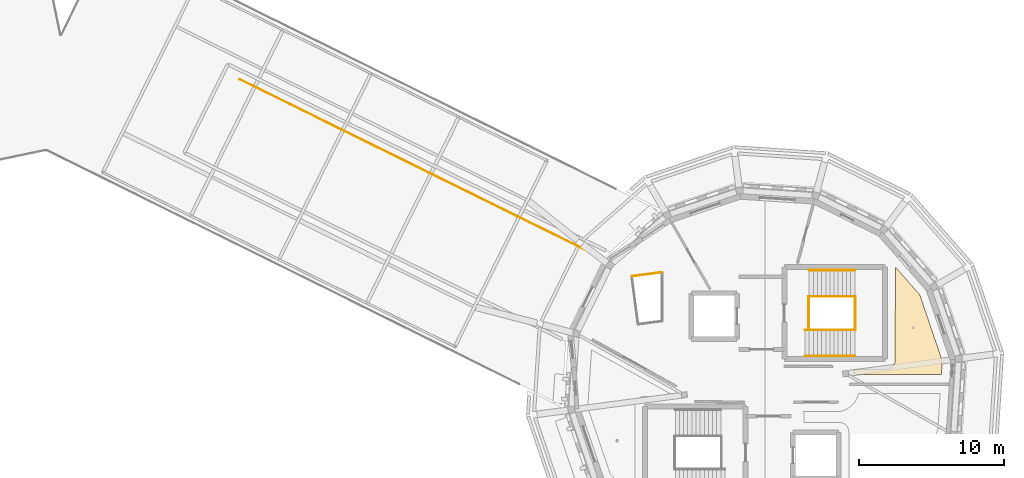
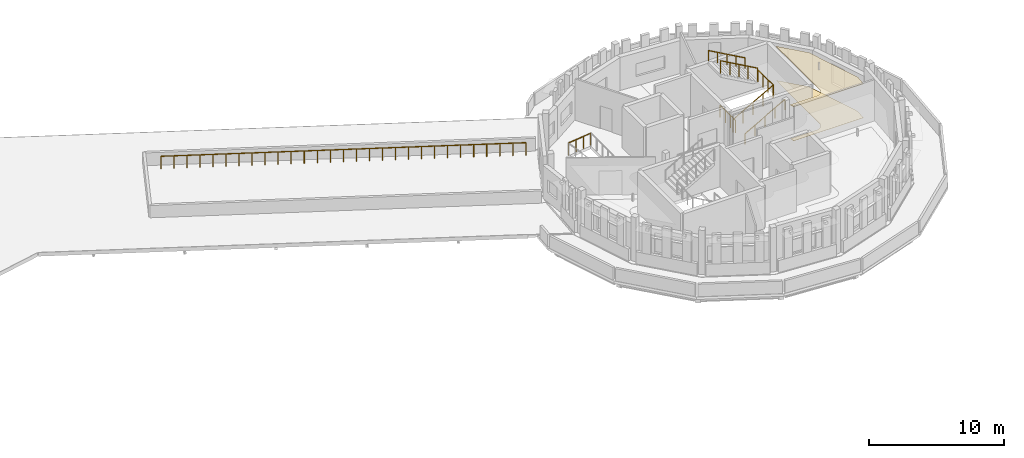
# One storey, part 51 of 51: 8 railings, 2 coverings.
"""IFC4 building model written with IfcOpenShell, lengths in metres."""

from ifc_helpers import new_model, si_unit, direction, frame, origin, origin_2d, place, context, subcontext, project, spatial, polyline, circle, outline, extrude, material, layer, layer_set, type_object, element, save


model = new_model("IFC4")

# Units and contexts
model_context = context("Model", 3, precision=1e-05, world=origin(), true_north=direction((0.0, 1.0)))
body_context = subcontext(model_context, "Body", "Model", "MODEL_VIEW")
ifc_project = project(units=[si_unit("LENGTHUNIT", "METRE"), si_unit("AREAUNIT", "SQUARE_METRE"), si_unit("VOLUMEUNIT", "CUBIC_METRE"), si_unit("PLANEANGLEUNIT", "RADIAN"), si_unit("MASSUNIT", "GRAM", prefix="KILO")], contexts=[model_context])

# Site, building, storey
site_placement = place(None, origin())
site = spatial("IfcSite", under=ifc_project, at=site_placement, CompositionType="ELEMENT")
building_placement = place(site_placement, origin())
building = spatial("IfcBuilding", under=site, at=building_placement, Name="Wrenclough Park School", CompositionType="ELEMENT")
storey_placement = place(building_placement, frame((0.0, 0.0, 16.800048828125)))
storey = spatial("IfcBuildingStorey", under=building, at=storey_placement, Name="L04", CompositionType="ELEMENT", Elevation=16.800048828125)

# Railing
ifc_material_1 = material(Name="Galvanised powder-coated steel and laminated glass balustrade", Category="steel")
railing_type_1 = type_object("IfcRailingType", Name="ENV-BAL-PD", PredefinedType="BALUSTRADE", material=ifc_material_1)
railing_1_placement = place(storey_placement, frame((162.607666015625, 102.513671875, 0.0)))
element("IfcRailing", 1, at=railing_1_placement, inside=storey, type_object=railing_type_1, Name="Play deck PD-4 planted-zone balustrade", PredefinedType="BALUSTRADE", context=body_context, shape_type="SweptSolid", body=[
    extrude(circle(Radius=0.02392578125, at=origin_2d()), frame((0.0, 0.0, 1.1259765625), z_axis=(-0.896742918163, 0.442551848629, 0.0), x_axis=(-0.442551848629, -0.896742918163, 0.0)), (0.0, 0.0, 1.0), 27.07958984375),
    extrude(circle(Radius=0.02099609375, at=origin_2d()), origin(), (0.0, 0.0, 1.0), 1.101806640625),
    extrude(circle(Radius=0.02099609375, at=origin_2d()), frame((-0.8671875, 0.427978515625, 0.0)), (0.0, 0.0, 1.0), 1.101806640625),
    extrude(circle(Radius=0.02099609375, at=origin_2d()), frame((-1.734619140625, 0.85595703125, 0.0)), (0.0, 0.0, 1.0), 1.101806640625),
    extrude(circle(Radius=0.02099609375, at=origin_2d()), frame((-2.601806640625, 1.283935546875, 0.0)), (0.0, 0.0, 1.0), 1.101806640625),
    extrude(circle(Radius=0.02099609375, at=origin_2d()), frame((-3.468994140625, 1.7119140625, 0.0)), (0.0, 0.0, 1.0), 1.101806640625),
    extrude(circle(Radius=0.02099609375, at=origin_2d()), frame((-4.33642578125, 2.14013671875, 0.0)), (0.0, 0.0, 1.0), 1.101806640625),
    extrude(circle(Radius=0.02099609375, at=origin_2d()), frame((-5.20361328125, 2.568115234375, 0.0)), (0.0, 0.0, 1.0), 1.101806640625),
    extrude(circle(Radius=0.02099609375, at=origin_2d()), frame((-6.07080078125, 2.99609375, 0.0)), (0.0, 0.0, 1.0), 1.101806640625),
    extrude(circle(Radius=0.02099609375, at=origin_2d()), frame((-6.938232421875, 3.424072265625, 0.0)), (0.0, 0.0, 1.0), 1.101806640625),
    extrude(circle(Radius=0.02099609375, at=origin_2d()), frame((-7.805419921875, 3.85205078125, 0.0)), (0.0, 0.0, 1.0), 1.101806640625),
    extrude(circle(Radius=0.02099609375, at=origin_2d()), frame((-8.672607421875, 4.280029296875, 0.0)), (0.0, 0.0, 1.0), 1.101806640625),
    extrude(circle(Radius=0.02099609375, at=origin_2d()), frame((-9.5400390625, 4.7080078125, 0.0)), (0.0, 0.0, 1.0), 1.101806640625),
    extrude(circle(Radius=0.02099609375, at=origin_2d()), frame((-10.4072265625, 5.135986328125, 0.0)), (0.0, 0.0, 1.0), 1.101806640625),
    extrude(circle(Radius=0.02099609375, at=origin_2d()), frame((-11.2744140625, 5.56396484375, 0.0)), (0.0, 0.0, 1.0), 1.101806640625),
    extrude(circle(Radius=0.02099609375, at=origin_2d()), frame((-12.1416015625, 5.9921875, 0.0)), (0.0, 0.0, 1.0), 1.101806640625),
    extrude(circle(Radius=0.02099609375, at=origin_2d()), frame((-13.009033203125, 6.420166015625, 0.0)), (0.0, 0.0, 1.0), 1.101806640625),
    extrude(circle(Radius=0.02099609375, at=origin_2d()), frame((-13.876220703125, 6.84814453125, 0.0)), (0.0, 0.0, 1.0), 1.101806640625),
    extrude(circle(Radius=0.02099609375, at=origin_2d()), frame((-14.743408203125, 7.276123046875, 0.0)), (0.0, 0.0, 1.0), 1.101806640625),
    extrude(circle(Radius=0.02099609375, at=origin_2d()), frame((-15.61083984375, 7.7041015625, 0.0)), (0.0, 0.0, 1.0), 1.101806640625),
    extrude(circle(Radius=0.02099609375, at=origin_2d()), frame((-16.47802734375, 8.132080078125, 0.0)), (0.0, 0.0, 1.0), 1.101806640625),
    extrude(circle(Radius=0.02099609375, at=origin_2d()), frame((-17.34521484375, 8.56005859375, 0.0)), (0.0, 0.0, 1.0), 1.101806640625),
    extrude(circle(Radius=0.02099609375, at=origin_2d()), frame((-18.212646484375, 8.988037109375, 0.0)), (0.0, 0.0, 1.0), 1.101806640625),
    extrude(circle(Radius=0.02099609375, at=origin_2d()), frame((-19.079833984375, 9.416015625, 0.0)), (0.0, 0.0, 1.0), 1.101806640625),
    extrude(circle(Radius=0.02099609375, at=origin_2d()), frame((-19.947021484375, 9.843994140625, 0.0)), (0.0, 0.0, 1.0), 1.101806640625),
    extrude(circle(Radius=0.02099609375, at=origin_2d()), frame((-20.814453125, 10.272216796875, 0.0)), (0.0, 0.0, 1.0), 1.101806640625),
    extrude(circle(Radius=0.02099609375, at=origin_2d()), frame((-21.681640625, 10.7001953125, 0.0)), (0.0, 0.0, 1.0), 1.101806640625),
    extrude(circle(Radius=0.02099609375, at=origin_2d()), frame((-22.548828125, 11.128173828125, 0.0)), (0.0, 0.0, 1.0), 1.101806640625),
    extrude(circle(Radius=0.02099609375, at=origin_2d()), frame((-23.416259765625, 11.55615234375, 0.0)), (0.0, 0.0, 1.0), 1.101806640625),
    extrude(circle(Radius=0.02099609375, at=origin_2d()), frame((-24.283447265625, 11.984130859375, 0.0)), (0.0, 0.0, 1.0), 1.101806640625),
])

# Coverings
ifc_material_2 = material(Name="Class A mineral-fibre acoustic ceiling raft", Category="gypsum")
ifc_layer_1 = layer(ifc_material_2, 0.044921875)
ifc_layer_set_1 = layer_set([ifc_layer_1], Name="Class A mineral-fibre acoustic ceiling raft")
covering_type_1 = type_object("IfcCoveringType", Name="INT-COV-CEIL", PredefinedType="CEILING", material=ifc_layer_set_1)
covering_1_placement = place(storey_placement, frame((0.0, 0.0, 3.054931640625)))
element("IfcCovering", 2, at=covering_1_placement, inside=storey, type_object=covering_type_1, Name="Careers Guidance Staff Office acoustic ceiling raft", PredefinedType="CEILING", context=body_context, shape_type="SweptSolid", body=[
    extrude(outline(polyline([(182.820068359375, 94.530029296875), (180.5947265625, 94.530029296875), (180.645263671875, 94.410888671875), (180.6689453125, 94.291748046875), (180.671875, 94.2294921875), (180.70947265625, 94.180908203125), (186.646484375, 94.1708984375), (186.7080078125, 95.107177734375), (185.163818359375, 99.656494140625), (183.469970703125, 101.587890625), (183.466796875, 95.1162109375), (183.44189453125, 94.9912109375), (183.393310546875, 94.87353515625), (183.322509765625, 94.767578125), (183.232421875, 94.677490234375), (183.12646484375, 94.606689453125), (183.0087890625, 94.55810546875), (182.94677734375, 94.54248046875), (182.820068359375, 94.530029296875)])), origin(), (0.0, 0.0, 1.0), 0.044921875),
])
ifc_material_3 = material(Name="Acoustic natural linoleum school flooring", Category="wood")
ifc_layer_2 = layer(ifc_material_3, 0.014892578125)
ifc_layer_set_2 = layer_set([ifc_layer_2], Name="Acoustic natural linoleum school flooring")
covering_type_2 = type_object("IfcCoveringType", Name="INT-COV-FLOOR1", PredefinedType="FLOORING", material=ifc_layer_set_2)
covering_2_placement = place(storey_placement, origin())
element("IfcCovering", 3, at=covering_2_placement, inside=storey, type_object=covering_type_2, Name="Careers Guidance Staff Office floor finish", PredefinedType="FLOORING", context=body_context, shape_type="SweptSolid", body=[
    extrude(outline(polyline([(182.820068359375, 94.530029296875), (180.5947265625, 94.530029296875), (180.645263671875, 94.410888671875), (180.6689453125, 94.291748046875), (180.671875, 94.2294921875), (180.70947265625, 94.180908203125), (186.646484375, 94.1708984375), (186.7080078125, 95.107177734375), (185.163818359375, 99.656494140625), (183.469970703125, 101.587890625), (183.466796875, 95.1162109375), (183.44189453125, 94.9912109375), (183.393310546875, 94.87353515625), (183.322509765625, 94.767578125), (183.232421875, 94.677490234375), (183.12646484375, 94.606689453125), (183.0087890625, 94.55810546875), (182.94677734375, 94.54248046875), (182.820068359375, 94.530029296875)])), origin(), (0.0, 0.0, 1.0), 0.014892578125),
])

# Railings
ifc_material_4 = material(Name="Powder-coated steel vertical-baluster stair and atrium guard", Category="steel")
railing_type_2 = type_object("IfcRailingType", Name="INT-RL-GD1120", PredefinedType="GUARDRAIL", material=ifc_material_4)
railing_2_placement = place(storey_placement, frame((177.5048828125, 97.25, 0.0)))
element("IfcRailing", 4, at=railing_2_placement, inside=storey, type_object=railing_type_2, Name="ST-06 L04 well guard 1", PredefinedType="GUARDRAIL", context=body_context, shape_type="SweptSolid", body=[
    extrude(circle(Radius=0.02392578125, at=origin_2d()), frame((0.0, 0.0, 1.09619140625), z_axis=(0.0, 1.0, 0.0), x_axis=(-1.0, 0.0, 0.0)), (0.0, 0.0, 1.0), 2.300048828125),
    extrude(circle(Radius=0.02099609375, at=origin_2d()), origin(), (0.0, 0.0, 1.0), 1.072021484375),
    extrude(circle(Radius=0.02099609375, at=origin_2d()), frame((0.0, 0.7666015625, 0.0)), (0.0, 0.0, 1.0), 1.072021484375),
    extrude(circle(Radius=0.02099609375, at=origin_2d()), frame((0.0, 1.533447265625, 0.0)), (0.0, 0.0, 1.0), 1.072021484375),
    extrude(circle(Radius=0.02099609375, at=origin_2d()), frame((0.0, 2.300048828125, 0.0)), (0.0, 0.0, 1.0), 1.072021484375),
])
railing_3_placement = place(storey_placement, frame((177.260009765625, 97.25, 0.159912109375)))
element("IfcRailing", 5, at=railing_3_placement, inside=storey, type_object=railing_type_2, Name="ST-06 L04 well guard 2", PredefinedType="GUARDRAIL", context=body_context, shape_type="SweptSolid", body=[
    extrude(circle(Radius=0.02392578125, at=origin_2d()), frame((0.0, 0.0, 1.09619140625), z_axis=(0.871987514779, 0.0, 0.489528113665), x_axis=(0.0, 1.0, 0.0)), (0.0, 0.0, 1.0), 3.921875),
    extrude(circle(Radius=0.02099609375, at=origin_2d()), origin(), (0.0, 0.0, 1.0), 1.072021484375),
    extrude(circle(Radius=0.02099609375, at=origin_2d()), frame((0.85498046875, 0.0, 0.47998046875)), (0.0, 0.0, 1.0), 1.072021484375),
    extrude(circle(Radius=0.02099609375, at=origin_2d()), frame((1.7099609375, 0.0, 0.9599609375)), (0.0, 0.0, 1.0), 1.072021484375),
    extrude(circle(Radius=0.02099609375, at=origin_2d()), frame((2.56494140625, 0.0, 1.43994140625)), (0.0, 0.0, 1.0), 1.072021484375),
    extrude(circle(Radius=0.02099609375, at=origin_2d()), frame((3.419921875, 0.0, 1.919921875)), (0.0, 0.0, 1.0), 1.072021484375),
])
railing_4_placement = place(storey_placement, frame((180.719970703125, 97.25, 2.079833984375)))
element("IfcRailing", 6, at=railing_4_placement, inside=storey, type_object=railing_type_2, Name="ST-06 L04 well guard 3", PredefinedType="GUARDRAIL", context=body_context, shape_type="SweptSolid", body=[
    extrude(circle(Radius=0.02392578125, at=origin_2d()), frame((0.0, 0.0, 1.09619140625), z_axis=(0.0, 1.0, 0.0), x_axis=(-1.0, 0.0, 0.0)), (0.0, 0.0, 1.0), 2.300048828125),
    extrude(circle(Radius=0.02099609375, at=origin_2d()), origin(), (0.0, 0.0, 1.0), 1.072021484375),
    extrude(circle(Radius=0.02099609375, at=origin_2d()), frame((0.0, 0.7666015625, 0.0)), (0.0, 0.0, 1.0), 1.072021484375),
    extrude(circle(Radius=0.02099609375, at=origin_2d()), frame((0.0, 1.533447265625, 0.0)), (0.0, 0.0, 1.0), 1.072021484375),
    extrude(circle(Radius=0.02099609375, at=origin_2d()), frame((0.0, 2.300048828125, 0.0)), (0.0, 0.0, 1.0), 1.072021484375),
])
railing_5_placement = place(storey_placement, frame((180.679931640625, 99.550048828125, 2.239990234375)))
element("IfcRailing", 7, at=railing_5_placement, inside=storey, type_object=railing_type_2, Name="ST-06 L04 well guard 4", PredefinedType="GUARDRAIL", context=body_context, shape_type="SweptSolid", body=[
    extrude(circle(Radius=0.02392578125, at=origin_2d()), frame((0.0, 0.0, 1.09619140625), z_axis=(-0.871983276844, 0.0, 0.489535662547), x_axis=(0.0, -1.0, 0.0)), (0.0, 0.0, 1.0), 3.59521484375),
    extrude(circle(Radius=0.02099609375, at=origin_2d()), origin(), (0.0, 0.0, 1.0), 1.072021484375),
    extrude(circle(Radius=0.02099609375, at=origin_2d()), frame((-0.78369140625, 0.0, 0.43994140625)), (0.0, 0.0, 1.0), 1.072021484375),
    extrude(circle(Radius=0.02099609375, at=origin_2d()), frame((-1.5673828125, 0.0, 0.8798828125)), (0.0, 0.0, 1.0), 1.072021484375),
    extrude(circle(Radius=0.02099609375, at=origin_2d()), frame((-2.351318359375, 0.0, 1.320068359375)), (0.0, 0.0, 1.0), 1.072021484375),
    extrude(circle(Radius=0.02099609375, at=origin_2d()), frame((-3.135009765625, 0.0, 1.760009765625)), (0.0, 0.0, 1.0), 1.072021484375),
])
railing_6_placement = place(storey_placement, frame((167.395263671875, 101.210205078125, 0.0)))
element("IfcRailing", 8, at=railing_6_placement, inside=storey, type_object=railing_type_2, Name="D5 L04 void perimeter guard 1.3", PredefinedType="GUARDRAIL", context=body_context, shape_type="SweptSolid", body=[
    extrude(circle(Radius=0.02392578125, at=origin_2d()), frame((0.0, 0.0, 1.09619140625), z_axis=(-0.991434535995, -0.130604597301, 0.0), x_axis=(0.130604597301, -0.991434535995, 0.0)), (0.0, 0.0, 1.0), 2.061767578125),
    extrude(circle(Radius=0.02099609375, at=origin_2d()), origin(), (0.0, 0.0, 1.0), 1.072021484375),
    extrude(circle(Radius=0.02099609375, at=origin_2d()), frame((-0.681396484375, -0.08984375, 0.0)), (0.0, 0.0, 1.0), 1.072021484375),
    extrude(circle(Radius=0.02099609375, at=origin_2d()), frame((-1.36279296875, -0.179443359375, 0.0)), (0.0, 0.0, 1.0), 1.072021484375),
    extrude(circle(Radius=0.02099609375, at=origin_2d()), frame((-2.044189453125, -0.269287109375, 0.0)), (0.0, 0.0, 1.0), 1.072021484375),
])
ifc_material_5 = material(Name="Brushed stainless steel tubular handrail", Category="steel")
railing_type_3 = type_object("IfcRailingType", Name="INT-RL-HR950", PredefinedType="HANDRAIL", material=ifc_material_5)
railing_7_placement = place(storey_placement, frame((177.260009765625, 95.449951171875, 0.159912109375)))
element("IfcRailing", 9, at=railing_7_placement, inside=storey, type_object=railing_type_3, Name="ST-06 L04 pitch handrail 1", PredefinedType="HANDRAIL", context=body_context, shape_type="SweptSolid", body=[
    extrude(circle(Radius=0.02392578125, at=origin_2d()), frame((0.0, 0.0, 0.92578125), z_axis=(0.871987514779, 0.0, 0.489528113665), x_axis=(0.0, 1.0, 0.0)), (0.0, 0.0, 1.0), 3.921875),
    extrude(circle(Radius=0.02099609375, at=origin_2d()), origin(), (0.0, 0.0, 1.0), 0.90185546875),
    extrude(circle(Radius=0.02099609375, at=origin_2d()), frame((0.85498046875, 0.0, 0.47998046875)), (0.0, 0.0, 1.0), 0.90185546875),
    extrude(circle(Radius=0.02099609375, at=origin_2d()), frame((1.7099609375, 0.0, 0.9599609375)), (0.0, 0.0, 1.0), 0.90185546875),
    extrude(circle(Radius=0.02099609375, at=origin_2d()), frame((2.56494140625, 0.0, 1.43994140625)), (0.0, 0.0, 1.0), 0.90185546875),
    extrude(circle(Radius=0.02099609375, at=origin_2d()), frame((3.419921875, 0.0, 1.919921875)), (0.0, 0.0, 1.0), 0.90185546875),
])
railing_8_placement = place(storey_placement, frame((180.679931640625, 101.35009765625, 2.239990234375)))
element("IfcRailing", 10, at=railing_8_placement, inside=storey, type_object=railing_type_3, Name="ST-06 L04 pitch handrail 2", PredefinedType="HANDRAIL", context=body_context, shape_type="SweptSolid", body=[
    extrude(circle(Radius=0.02392578125, at=origin_2d()), frame((0.0, 0.0, 0.92578125), z_axis=(-0.871983276844, 0.0, 0.489535662547), x_axis=(0.0, -1.0, 0.0)), (0.0, 0.0, 1.0), 3.59521484375),
    extrude(circle(Radius=0.02099609375, at=origin_2d()), origin(), (0.0, 0.0, 1.0), 0.90185546875),
    extrude(circle(Radius=0.02099609375, at=origin_2d()), frame((-0.78369140625, 0.0, 0.43994140625)), (0.0, 0.0, 1.0), 0.90185546875),
    extrude(circle(Radius=0.02099609375, at=origin_2d()), frame((-1.5673828125, 0.0, 0.8798828125)), (0.0, 0.0, 1.0), 0.90185546875),
    extrude(circle(Radius=0.02099609375, at=origin_2d()), frame((-2.351318359375, 0.0, 1.320068359375)), (0.0, 0.0, 1.0), 0.90185546875),
    extrude(circle(Radius=0.02099609375, at=origin_2d()), frame((-3.135009765625, 0.0, 1.760009765625)), (0.0, 0.0, 1.0), 0.90185546875),
])

save(model, "model.ifc")
